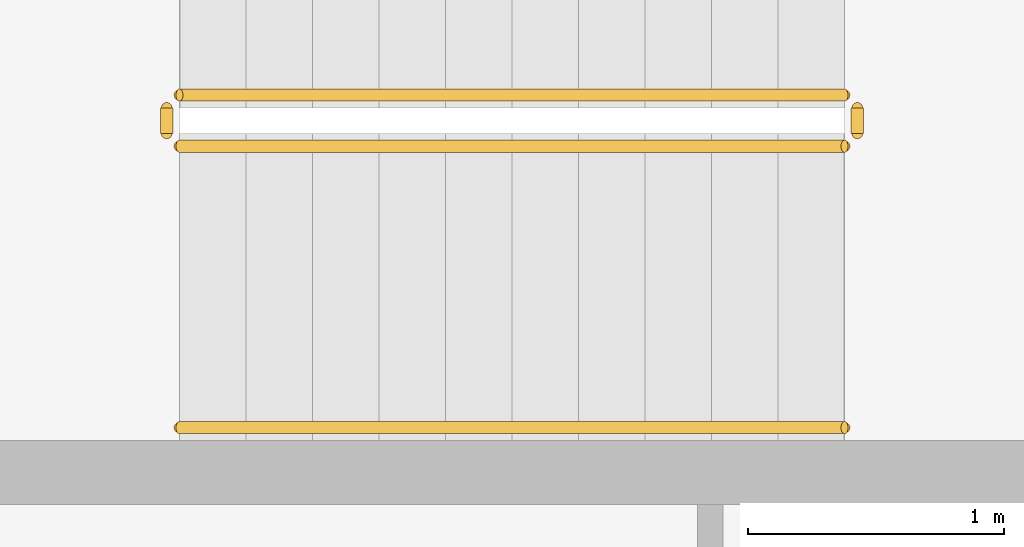
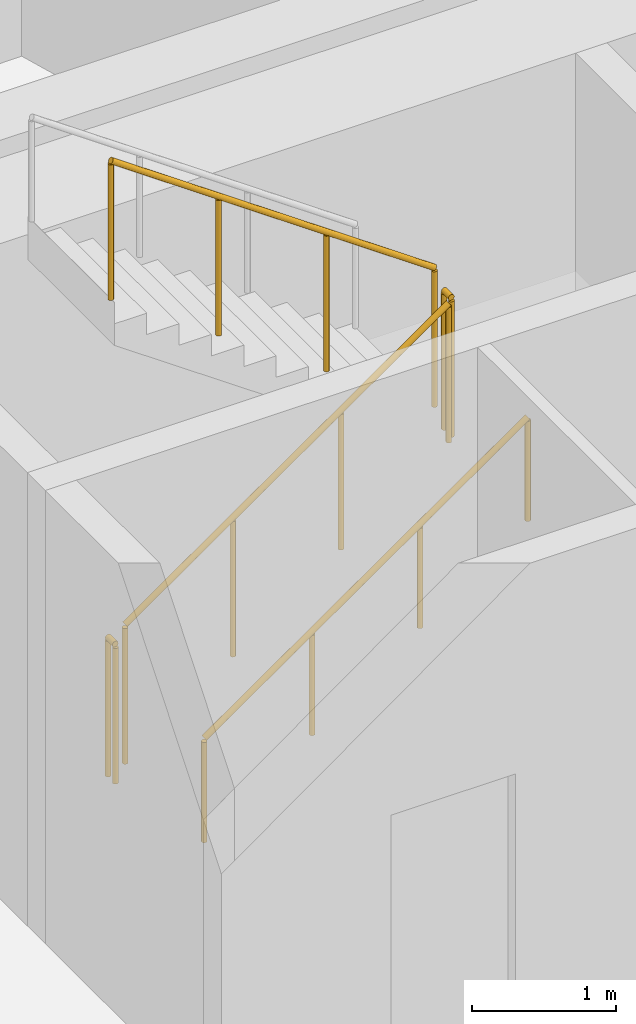
# One storey, part 20 of 25: 5 railings.
"""IFC4 building model written with IfcOpenShell, lengths in metres."""

import ifcopenshell
import ifcopenshell.guid

model = None  # the IFC model being written
_history = None  # IfcOwnerHistory: only IFC2X3 demands one
_inside = {}  # id of a spatial element -> (the spatial element, [elements in it])
_under = {}  # id of a project, library or spatial element -> (it, [spatial elements below it])
_declared = {}  # id of a project -> (the project, [libraries it declares])
_typed = {}  # id of a type object -> (the type object, [elements of that type])
_made_of = {}  # id of a material, layer set ... -> (it, [elements and type objects made of it])


def new_model(schema):
    """Start an empty IFC model of exactly this schema.

    Asked for "IFC4X3", IfcOpenShell would pick the latest addendum, in which some entities
    have other attributes; the version numbers below select the first issue.
    IFC2X3 requires an IfcOwnerHistory on every rooted entity: one is made here for all.
    """
    global model, _history
    if schema == "IFC4X3":
        model = ifcopenshell.file(schema_version=(4, 3, 0, 0))
    else:
        model = ifcopenshell.file(schema=schema)
    _inside.clear()
    _under.clear()
    _declared.clear()
    _typed.clear()
    _made_of.clear()
    _history = None
    if model.schema == "IFC2X3":
        org = make("IfcOrganization", Name="unknown")
        user = make(
            "IfcPersonAndOrganization",
            ThePerson=make("IfcPerson", FamilyName="unknown"),
            TheOrganization=org,
        )
        app = make(
            "IfcApplication",
            ApplicationDeveloper=org,
            Version="unknown",
            ApplicationFullName="unknown",
            ApplicationIdentifier="unknown",
        )
        _history = make(
            "IfcOwnerHistory",
            OwningUser=user,
            OwningApplication=app,
            ChangeAction="ADDED",
            CreationDate=0,
        )
    return model


def make(cls, **values):
    """One entity of the class cls with the attributes given. An attribute that is None is left unset."""
    return model.create_entity(
        cls, **{name: value for name, value in values.items() if value is not None}
    )


def rooted(cls, **values):
    """An entity with a GlobalId (a new one), such as an element, a storey or a relation."""
    return make(cls, GlobalId=ifcopenshell.guid.new(), OwnerHistory=_history, **values)


def si_unit(unit_type, name, prefix=None):
    """IfcSIUnit, for example si_unit("LENGTHUNIT", "METRE", prefix="MILLI")."""
    return make("IfcSIUnit", UnitType=unit_type, Prefix=prefix, Name=name)


def assignment(units):
    """IfcUnitAssignment: the units of a project."""
    return None if units is None else make("IfcUnitAssignment", Units=units)


def point(xyz):
    """IfcCartesianPoint."""
    return None if xyz is None else make("IfcCartesianPoint", Coordinates=xyz)


def direction(xyz):
    """IfcDirection."""
    return None if xyz is None else make("IfcDirection", DirectionRatios=xyz)


def frame(location, z_axis=None, x_axis=None):
    """IfcAxis2Placement3D, a coordinate frame: its origin and axes. An axis left out is left unset."""
    return make(
        "IfcAxis2Placement3D",
        Location=point(location),
        Axis=direction(z_axis),
        RefDirection=direction(x_axis),
    )


def frame_2d(location, x_axis=None):
    """IfcAxis2Placement2D, a coordinate frame in the plane: its origin and x axis."""
    return make(
        "IfcAxis2Placement2D", Location=point(location), RefDirection=direction(x_axis)
    )


def origin():
    """The frame at (0, 0, 0) with its axes left unset."""
    return frame((0.0, 0.0, 0.0))


def origin_2d():
    """The frame at (0, 0) in the plane with its x axis left unset."""
    return frame_2d((0.0, 0.0))


def place(relative_to, where):
    """IfcLocalPlacement: puts the frame where relative to a parent placement (None: the world)."""
    return make(
        "IfcLocalPlacement", PlacementRelTo=relative_to, RelativePlacement=where
    )


def context(
    kind, dimensions, precision=None, world=None, true_north=None, identifier=None
):
    """IfcGeometricRepresentationContext, for example the 3D "Model" context."""
    return make(
        "IfcGeometricRepresentationContext",
        ContextIdentifier=identifier,
        ContextType=kind,
        CoordinateSpaceDimension=dimensions,
        Precision=precision,
        WorldCoordinateSystem=world,
        TrueNorth=true_north,
    )


def subcontext(parent, identifier, kind, view, scale=None):
    """IfcGeometricRepresentationSubContext, for example "Body" below "Model"."""
    return make(
        "IfcGeometricRepresentationSubContext",
        ContextIdentifier=identifier,
        ContextType=kind,
        ParentContext=parent,
        TargetScale=scale,
        TargetView=view,
    )


def project(units=None, contexts=None):
    """IfcProject with its units and contexts."""
    return rooted(
        "IfcProject",
        Name="project",
        RepresentationContexts=contexts,
        UnitsInContext=assignment(units),
    )


def spatial(cls, under=None, at=None, **own):
    """A site, building, storey or space (cls), placed at a placement, below another one or the project."""
    s = rooted(cls, ObjectPlacement=at, **own)
    if under is not None:
        _under.setdefault(under.id(), (under, []))[1].append(s)
    return s


def profile(cls, at=None, kind="AREA", **sizes):
    """A parametric profile (cls). Its sizes go by their IFC names, for example OverallWidth=200.0."""
    return make(cls, ProfileType=kind, Position=at, **sizes)


def circle(**sizes):
    """IfcCircleProfileDef."""
    return profile("IfcCircleProfileDef", **sizes)


def extrude(swept, where, along, depth):
    """IfcExtrudedAreaSolid: the profile swept, set in the frame where, extruded along a direction by depth."""
    return make(
        "IfcExtrudedAreaSolid",
        SweptArea=swept,
        Position=where,
        ExtrudedDirection=direction(along),
        Depth=depth,
    )


def shape(context_of_items, identifier, shape_type, items):
    """IfcShapeRepresentation: the items that make up one representation, for example the "Body"."""
    return make(
        "IfcShapeRepresentation",
        ContextOfItems=context_of_items,
        RepresentationIdentifier=identifier,
        RepresentationType=shape_type,
        Items=items,
    )


def material(Name=None, Category=None):
    """IfcMaterial."""
    return make("IfcMaterial", Name=Name, Category=Category)


def made_of(thing, what):
    """Note that an element or type object is made of a material, layer set ...; save() writes the relation."""
    if what is not None:
        _made_of.setdefault(what.id(), (what, []))[1].append(thing)
    return thing


def type_object(cls, material=None, **own):
    """A type object (cls), such as IfcWallType, which elements share."""
    return made_of(rooted(cls, **own), material)


def element(
    cls,
    number,
    at=None,
    inside=None,
    cuts=None,
    type_object=None,
    material=None,
    context=None,
    identifier="Body",
    shape_type=None,
    held_by="IfcProductDefinitionShape",
    body=None,
    shapes=None,
    **own,
):
    """One element of the class cls, such as IfcWall. Its Tag is "e" and its number.

    at: its placement. inside: the storey or other place that contains it. cuts: it is an
    opening in that element (IfcRelVoidsElement). A single representation is given by context,
    identifier, shape_type and body (its items); several are given by shapes. held_by: the class
    of the entity that holds the representations. save() writes the other relations.
    """
    e = rooted(cls, Tag="e%d" % number, ObjectPlacement=at, **own)
    if body is not None:
        shapes = [shape(context, identifier, shape_type, body)]
    if shapes is not None:
        e.Representation = make(held_by, Representations=shapes)
    if inside is not None:
        _inside.setdefault(inside.id(), (inside, []))[1].append(e)
    if cuts is not None:
        rooted(
            "IfcRelVoidsElement", RelatingBuildingElement=cuts, RelatedOpeningElement=e
        )
    if type_object is not None:
        _typed.setdefault(type_object.id(), (type_object, []))[1].append(e)
    return made_of(e, material)


def aggregate(whole, parts):
    """IfcRelAggregates: a whole, such as a stair, and the parts it consists of."""
    return rooted("IfcRelAggregates", RelatingObject=whole, RelatedObjects=parts)


def save(model, path):
    """Write the relations noted so far, then the file.

    IfcRelAggregates (storeys below a building ...), IfcRelContainedInSpatialStructure (elements
    in a storey), IfcRelDefinesByType, IfcRelAssociatesMaterial and IfcRelDeclares: one each for
    every whole, place, type object, material and project.
    """
    for whole, parts in _under.values():
        aggregate(whole, parts)
    for where, things in _inside.values():
        rooted(
            "IfcRelContainedInSpatialStructure",
            RelatedElements=things,
            RelatingStructure=where,
        )
    for kind, things in _typed.values():
        rooted("IfcRelDefinesByType", RelatedObjects=things, RelatingType=kind)
    for what, things in _made_of.values():
        rooted("IfcRelAssociatesMaterial", RelatedObjects=things, RelatingMaterial=what)
    for by, libraries in _declared.values():
        rooted("IfcRelDeclares", RelatingContext=by, RelatedDefinitions=libraries)
    model.write(path)


model = new_model("IFC4")

# Units and contexts
model_context = context("Model", 3, precision=1e-05, world=origin(), true_north=direction((0.0, 1.0)))
body_context = subcontext(model_context, "Body", "Model", "MODEL_VIEW")
ifc_project = project(units=[si_unit("LENGTHUNIT", "METRE"), si_unit("AREAUNIT", "SQUARE_METRE"), si_unit("VOLUMEUNIT", "CUBIC_METRE"), si_unit("PLANEANGLEUNIT", "RADIAN"), si_unit("MASSUNIT", "GRAM", prefix="KILO")], contexts=[model_context])

# Site, building, storey
site_placement = place(None, origin())
site = spatial("IfcSite", under=ifc_project, at=site_placement, CompositionType="ELEMENT")
building_placement = place(site_placement, origin())
building = spatial("IfcBuilding", under=site, at=building_placement, Name="Sahrelin Media Tower", CompositionType="ELEMENT")
storey_placement = place(building_placement, frame((0.0, 0.0, 181.60009765625)))
storey = spatial("IfcBuildingStorey", under=building, at=storey_placement, Name="L38", CompositionType="ELEMENT", Elevation=181.60009765625)

# Railings
ifc_material = material(Name="Steel S355", Category="steel")
railing_type_1 = type_object("IfcRailingType", Name="Stair guard 1200", PredefinedType="GUARDRAIL", material=ifc_material)
railing_1_placement = place(storey_placement, frame((-7.675048828125, 5.25, 0.181640625)))
element("IfcRailing", 1, at=railing_1_placement, inside=storey, type_object=railing_type_1, Name="L38 ST1 stair guard 1", PredefinedType="GUARDRAIL", context=body_context, shape_type="SweptSolid", body=[
    extrude(circle(Radius=0.02392578125, at=origin_2d()), frame((0.0, 0.0, 1.17578125), z_axis=(0.819484887739, 0.0, 0.573100792852), x_axis=(0.0, 1.0, 0.0)), (0.0, 0.0, 1.0), 3.1728515625),
    extrude(circle(Radius=0.02099609375, at=origin_2d()), origin(), (0.0, 0.0, 1.0), 1.15185546875),
    extrude(circle(Radius=0.02099609375, at=origin_2d()), frame((0.86669921875, 0.0, 0.606201171875)), (0.0, 0.0, 1.0), 1.15185546875),
    extrude(circle(Radius=0.02099609375, at=origin_2d()), frame((1.7333984375, 0.0, 1.212158203125)), (0.0, 0.0, 1.0), 1.15185546875),
    extrude(circle(Radius=0.02099609375, at=origin_2d()), frame((2.60009765625, 0.0, 1.818359375)), (0.0, 0.0, 1.0), 1.15185546875),
])
railing_2_placement = place(storey_placement, frame((-5.02490234375, 5.300048828125, 2.0)))
element("IfcRailing", 2, at=railing_2_placement, inside=storey, type_object=railing_type_1, Name="L38 ST1 stair guard 2", PredefinedType="GUARDRAIL", context=body_context, shape_type="SweptSolid", body=[
    extrude(circle(Radius=0.02392578125, at=origin_2d()), frame((0.0, 0.0, 1.17578125), z_axis=(0.0, 1.0, 0.0), x_axis=(-1.0, 0.0, 0.0)), (0.0, 0.0, 1.0), 0.099853515625),
    extrude(circle(Radius=0.02099609375, at=origin_2d()), origin(), (0.0, 0.0, 1.0), 1.15185546875),
    extrude(circle(Radius=0.02099609375, at=origin_2d()), frame((0.0, 0.099853515625, 0.0)), (0.0, 0.0, 1.0), 1.15185546875),
])
railing_3_placement = place(storey_placement, frame((-5.074951171875, 5.449951171875, 2.181640625)))
element("IfcRailing", 3, at=railing_3_placement, inside=storey, type_object=railing_type_1, Name="L38 ST1 stair guard 3", PredefinedType="GUARDRAIL", context=body_context, shape_type="SweptSolid", body=[
    extrude(circle(Radius=0.02392578125, at=origin_2d()), frame((0.0, 0.0, 1.17578125), z_axis=(-0.819484887739, 0.0, 0.573100792852), x_axis=(0.0, -1.0, 0.0)), (0.0, 0.0, 1.0), 3.1728515625),
    extrude(circle(Radius=0.02099609375, at=origin_2d()), origin(), (0.0, 0.0, 1.0), 1.15185546875),
    extrude(circle(Radius=0.02099609375, at=origin_2d()), frame((-0.86669921875, 0.0, 0.606201171875)), (0.0, 0.0, 1.0), 1.15185546875),
    extrude(circle(Radius=0.02099609375, at=origin_2d()), frame((-1.7333984375, 0.0, 1.212158203125)), (0.0, 0.0, 1.0), 1.15185546875),
    extrude(circle(Radius=0.02099609375, at=origin_2d()), frame((-2.60009765625, 0.0, 1.818359375)), (0.0, 0.0, 1.0), 1.15185546875),
])
railing_4_placement = place(storey_placement, frame((-7.72509765625, 5.300048828125, 0.0)))
element("IfcRailing", 4, at=railing_4_placement, inside=storey, type_object=railing_type_1, Name="L38 ST1 stair guard 4", PredefinedType="GUARDRAIL", context=body_context, shape_type="SweptSolid", body=[
    extrude(circle(Radius=0.02392578125, at=origin_2d()), frame((0.0, 0.0, 1.17578125), z_axis=(0.0, 1.0, 0.0), x_axis=(-1.0, 0.0, 0.0)), (0.0, 0.0, 1.0), 0.099853515625),
    extrude(circle(Radius=0.02099609375, at=origin_2d()), origin(), (0.0, 0.0, 1.0), 1.15185546875),
    extrude(circle(Radius=0.02099609375, at=origin_2d()), frame((0.0, 0.099853515625, 0.0)), (0.0, 0.0, 1.0), 1.15185546875),
])
railing_type_2 = type_object("IfcRailingType", Name="Stair handrail 900", PredefinedType="HANDRAIL", material=ifc_material)
railing_5_placement = place(storey_placement, frame((-7.675048828125, 4.14990234375, 0.181640625)))
element("IfcRailing", 5, at=railing_5_placement, inside=storey, type_object=railing_type_2, Name="L38 ST1 stair handrail 1", PredefinedType="HANDRAIL", context=body_context, shape_type="SweptSolid", body=[
    extrude(circle(Radius=0.02392578125, at=origin_2d()), frame((0.0, 0.0, 0.8759765625), z_axis=(0.819484887739, 0.0, 0.573100792852), x_axis=(0.0, 1.0, 0.0)), (0.0, 0.0, 1.0), 3.1728515625),
    extrude(circle(Radius=0.02099609375, at=origin_2d()), origin(), (0.0, 0.0, 1.0), 0.851806640625),
    extrude(circle(Radius=0.02099609375, at=origin_2d()), frame((0.86669921875, 0.0, 0.606201171875)), (0.0, 0.0, 1.0), 0.851806640625),
    extrude(circle(Radius=0.02099609375, at=origin_2d()), frame((1.7333984375, 0.0, 1.212158203125)), (0.0, 0.0, 1.0), 0.851806640625),
    extrude(circle(Radius=0.02099609375, at=origin_2d()), frame((2.60009765625, 0.0, 1.818359375)), (0.0, 0.0, 1.0), 0.851806640625),
])

save(model, "model.ifc")
